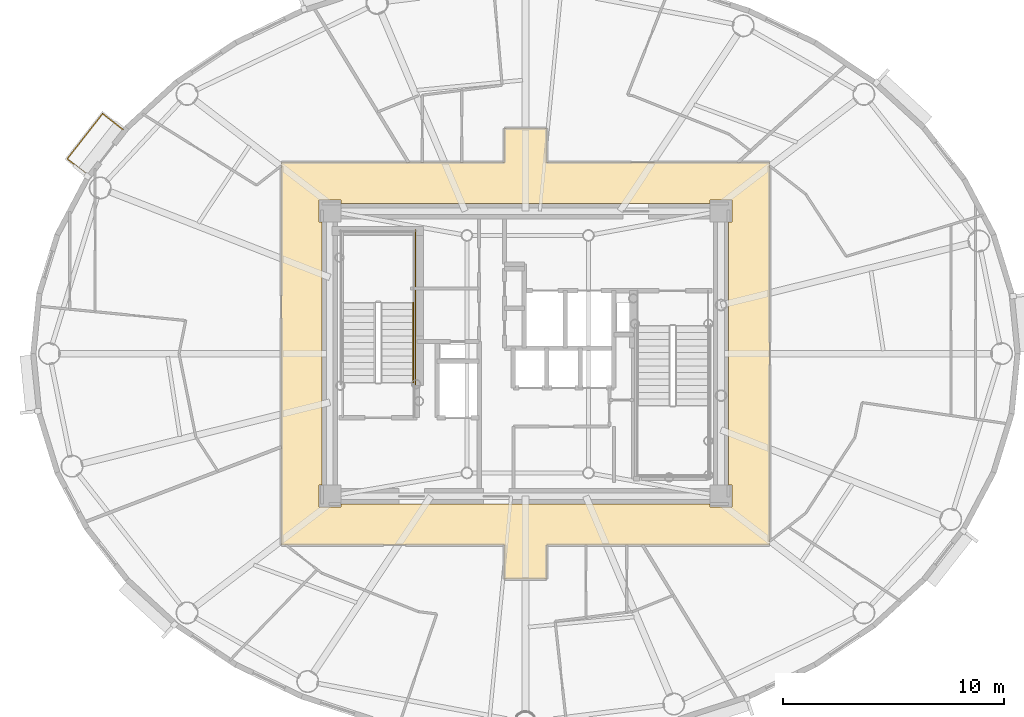
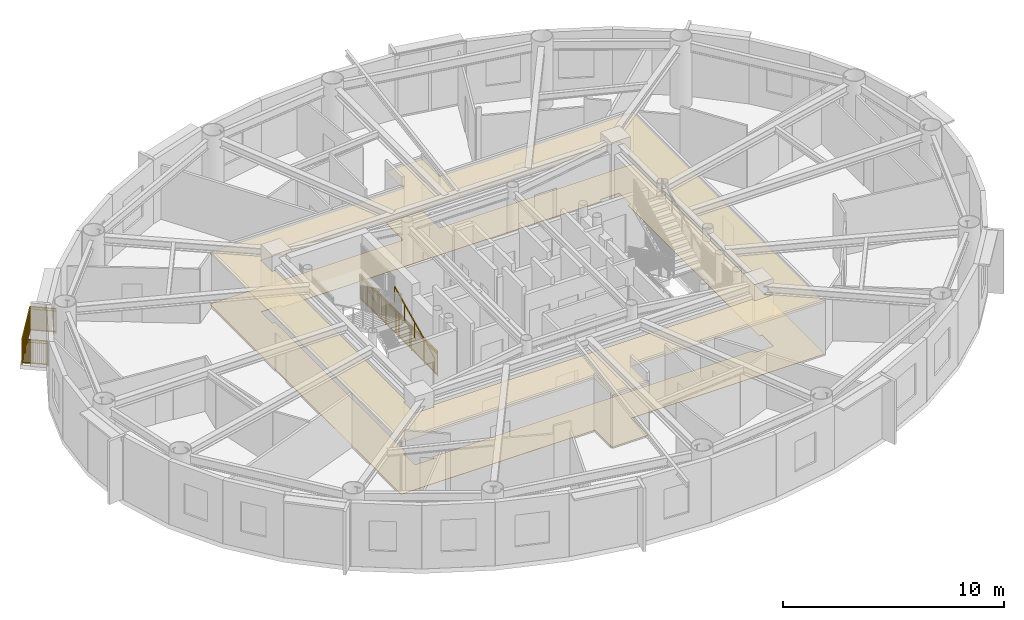
# One storey, part 15 of 17: 3 railings, 2 coverings.
"""IFC4 building model written with IfcOpenShell, lengths in metres."""

from ifc_helpers import new_model, si_unit, direction, frame, origin, origin_2d, place, context, subcontext, project, spatial, polyline, rectangle, outline, extrude, source, transform, mapped, material, layer, layer_set, type_object, element, save


model = new_model("IFC4")

# Units and contexts
model_context = context("Model", 3, precision=1e-05, world=origin(), true_north=direction((0.0, 1.0)))
body_context = subcontext(model_context, "Body", "Model", "MODEL_VIEW")
ifc_project = project(units=[si_unit("LENGTHUNIT", "METRE"), si_unit("AREAUNIT", "SQUARE_METRE"), si_unit("VOLUMEUNIT", "CUBIC_METRE"), si_unit("PLANEANGLEUNIT", "RADIAN"), si_unit("MASSUNIT", "GRAM", prefix="KILO")], contexts=[model_context])

# Site, building, storey
site_placement = place(None, origin())
site = spatial("IfcSite", under=ifc_project, at=site_placement, CompositionType="ELEMENT")
building_placement = place(site_placement, origin())
building = spatial("IfcBuilding", under=site, at=building_placement, Name="Linh Dai School and Residence Tower", CompositionType="ELEMENT")
storey_placement = place(building_placement, frame((0.0, 0.0, 284.25)))
storey = spatial("IfcBuildingStorey", under=building, at=storey_placement, Name="L70", CompositionType="ELEMENT", Elevation=284.25)

# Coverings
ifc_material_1 = material(Name="Mineral Fibre Acoustic Suspended Ceiling", Category="masonry")
ifc_layer_1 = layer(ifc_material_1, 0.02001953125)
ifc_layer_set_1 = layer_set([ifc_layer_1], Name="Mineral Fibre Acoustic Suspended Ceiling")
covering_type_1 = type_object("IfcCoveringType", Name="COV-CEIL-AC-20", PredefinedType="CEILING", material=ifc_layer_set_1)
covering_1_placement = place(storey_placement, frame((0.0, 0.0, 2.85009765625)))
element("IfcCovering", 1, at=covering_1_placement, inside=storey, type_object=covering_type_1, Name="L70 Residential Floor Corridor Suspended Ceiling", PredefinedType="CEILING", context=body_context, shape_type="SweptSolid", body=[
    extrude(outline(polyline([(24.949951171875, 18.35009765625), (24.949951171875, 35.64990234375), (35.050048828125, 35.64990234375), (35.050048828125, 37.199951171875), (36.949951171875, 37.199951171875), (36.949951171875, 35.64990234375), (47.050048828125, 35.64990234375), (47.050048828125, 18.35009765625), (36.949951171875, 18.35009765625), (36.949951171875, 16.800048828125), (35.050048828125, 16.800048828125), (35.050048828125, 18.35009765625), (24.949951171875, 18.35009765625)]), holes=[polyline([(27.64990234375, 33.800048828125), (27.64990234375, 33.949951171875), (26.64990234375, 33.949951171875), (26.64990234375, 32.949951171875), (26.800048828125, 32.949951171875), (26.800048828125, 21.050048828125), (26.64990234375, 21.050048828125), (26.64990234375, 20.050048828125), (27.64990234375, 20.050048828125), (27.64990234375, 20.199951171875), (44.35009765625, 20.199951171875), (44.35009765625, 20.050048828125), (45.35009765625, 20.050048828125), (45.35009765625, 21.050048828125), (45.199951171875, 21.050048828125), (45.199951171875, 32.949951171875), (45.35009765625, 32.949951171875), (45.35009765625, 33.949951171875), (44.35009765625, 33.949951171875), (44.35009765625, 33.800048828125), (27.64990234375, 33.800048828125)])]), origin(), (0.0, 0.0, 1.0), 0.02001953125),
])
ifc_material_2 = material(Name="Polished Terrazzo Floor Finish", Category="masonry")
ifc_layer_2 = layer(ifc_material_2, 0.02490234375)
ifc_layer_set_2 = layer_set([ifc_layer_2], Name="Polished Terrazzo Floor Finish")
covering_type_2 = type_object("IfcCoveringType", Name="COV-FLR-TRZ-25", PredefinedType="FLOORING", material=ifc_layer_set_2)
covering_2_placement = place(storey_placement, origin())
element("IfcCovering", 2, at=covering_2_placement, inside=storey, type_object=covering_type_2, Name="L70 Residential Floor Corridor Floor Finish", PredefinedType="FLOORING", context=body_context, shape_type="SweptSolid", body=[
    extrude(outline(polyline([(24.949951171875, 18.35009765625), (24.949951171875, 35.64990234375), (35.050048828125, 35.64990234375), (35.050048828125, 37.199951171875), (36.949951171875, 37.199951171875), (36.949951171875, 35.64990234375), (47.050048828125, 35.64990234375), (47.050048828125, 18.35009765625), (36.949951171875, 18.35009765625), (36.949951171875, 16.800048828125), (35.050048828125, 16.800048828125), (35.050048828125, 18.35009765625), (24.949951171875, 18.35009765625)]), holes=[polyline([(27.64990234375, 33.800048828125), (27.64990234375, 33.949951171875), (26.64990234375, 33.949951171875), (26.64990234375, 32.949951171875), (26.800048828125, 32.949951171875), (26.800048828125, 21.050048828125), (26.64990234375, 21.050048828125), (26.64990234375, 20.050048828125), (27.64990234375, 20.050048828125), (27.64990234375, 20.199951171875), (44.35009765625, 20.199951171875), (44.35009765625, 20.050048828125), (45.35009765625, 20.050048828125), (45.35009765625, 21.050048828125), (45.199951171875, 21.050048828125), (45.199951171875, 32.949951171875), (45.35009765625, 32.949951171875), (45.35009765625, 33.949951171875), (44.35009765625, 33.949951171875), (44.35009765625, 33.800048828125), (27.64990234375, 33.800048828125)])]), origin(), (0.0, 0.0, 1.0), 0.02001953125),
])

# Railings
ifc_material_3 = material(Name="Structural Steel S355JR", Category="steel")
railing_type_1 = type_object("IfcRailingType", Name="RL-BAL-1400", PredefinedType="BALUSTRADE", material=ifc_material_3)
shared_shape_1 = source(origin(), body_context, "Body", "SweptSolid", [
    extrude(rectangle(XDim=0.048095703125, YDim=0.048095703125, at=origin_2d()), frame((0.0, 0.0, 1.3759765625), z_axis=(-0.787465705171, 0.616358469707, 0.0), x_axis=(-0.616358469707, -0.787465705171, 0.0)), (0.0, 0.0, 1.0), 1.179931640625),
    extrude(rectangle(XDim=0.048095703125, YDim=0.048095703125, at=origin_2d()), frame((0.0, 0.0, 0.10009765625), z_axis=(-0.787465705171, 0.616358469707, 0.0), x_axis=(-0.616358469707, -0.787465705171, 0.0)), (0.0, 0.0, 1.0), 1.179931640625),
    extrude(rectangle(XDim=0.030029296875, YDim=0.030029296875, at=origin_2d()), frame((0.0, 0.0, 1.239990234375), z_axis=(-0.787465705171, 0.616358469707, 0.0), x_axis=(-0.616358469707, -0.787465705171, 0.0)), (0.0, 0.0, 1.0), 1.179931640625),
    extrude(rectangle(XDim=0.02001953125, YDim=0.02001953125, at=origin_2d()), frame((-0.071533203125, 0.055908203125, 0.10009765625)), (0.0, 0.0, 1.0), 1.251708984375),
    extrude(rectangle(XDim=0.02001953125, YDim=0.02001953125, at=origin_2d()), frame((-0.14306640625, 0.11181640625, 0.10009765625)), (0.0, 0.0, 1.0), 1.251708984375),
    extrude(rectangle(XDim=0.02001953125, YDim=0.02001953125, at=origin_2d()), frame((-0.21435546875, 0.167724609375, 0.10009765625)), (0.0, 0.0, 1.0), 1.251708984375),
    extrude(rectangle(XDim=0.02001953125, YDim=0.02001953125, at=origin_2d()), frame((-0.285888671875, 0.223876953125, 0.10009765625)), (0.0, 0.0, 1.0), 1.251708984375),
    extrude(rectangle(XDim=0.02001953125, YDim=0.02001953125, at=origin_2d()), frame((-0.357421875, 0.27978515625, 0.10009765625)), (0.0, 0.0, 1.0), 1.251708984375),
    extrude(rectangle(XDim=0.02001953125, YDim=0.02001953125, at=origin_2d()), frame((-0.428955078125, 0.335693359375, 0.10009765625)), (0.0, 0.0, 1.0), 1.251708984375),
    extrude(rectangle(XDim=0.02001953125, YDim=0.02001953125, at=origin_2d()), frame((-0.500244140625, 0.3916015625, 0.10009765625)), (0.0, 0.0, 1.0), 1.251708984375),
    extrude(rectangle(XDim=0.02001953125, YDim=0.02001953125, at=origin_2d()), frame((-0.57177734375, 0.447509765625, 0.10009765625)), (0.0, 0.0, 1.0), 1.251708984375),
    extrude(rectangle(XDim=0.02001953125, YDim=0.02001953125, at=origin_2d()), frame((-0.643310546875, 0.50341796875, 0.10009765625)), (0.0, 0.0, 1.0), 1.251708984375),
    extrude(rectangle(XDim=0.02001953125, YDim=0.02001953125, at=origin_2d()), frame((-0.71484375, 0.5595703125, 0.10009765625)), (0.0, 0.0, 1.0), 1.251708984375),
    extrude(rectangle(XDim=0.02001953125, YDim=0.02001953125, at=origin_2d()), frame((-0.7861328125, 0.615478515625, 0.10009765625)), (0.0, 0.0, 1.0), 1.251708984375),
    extrude(rectangle(XDim=0.02001953125, YDim=0.02001953125, at=origin_2d()), frame((-0.857666015625, 0.67138671875, 0.10009765625)), (0.0, 0.0, 1.0), 1.251708984375),
    extrude(rectangle(XDim=0.048095703125, YDim=0.048095703125, at=origin_2d()), frame((-0.92919921875, 0.727294921875, 1.3759765625), z_axis=(0.616318394655, 0.787497070731, 0.0), x_axis=(-0.787497070731, 0.616318394655, 0.0)), (0.0, 0.0, 1.0), 2.5986328125),
    extrude(rectangle(XDim=0.048095703125, YDim=0.048095703125, at=origin_2d()), frame((-0.92919921875, 0.727294921875, 0.10009765625), z_axis=(0.616318394655, 0.787497070731, 0.0), x_axis=(-0.787497070731, 0.616318394655, 0.0)), (0.0, 0.0, 1.0), 2.5986328125),
    extrude(rectangle(XDim=0.030029296875, YDim=0.030029296875, at=origin_2d()), frame((-0.92919921875, 0.727294921875, 1.239990234375), z_axis=(0.616318394655, 0.787497070731, 0.0), x_axis=(-0.787497070731, 0.616318394655, 0.0)), (0.0, 0.0, 1.0), 2.5986328125),
    extrude(rectangle(XDim=0.02001953125, YDim=0.02001953125, at=origin_2d()), frame((-0.869873046875, 0.802978515625, 0.10009765625)), (0.0, 0.0, 1.0), 1.251708984375),
    extrude(rectangle(XDim=0.02001953125, YDim=0.02001953125, at=origin_2d()), frame((-0.810546875, 0.87890625, 0.10009765625)), (0.0, 0.0, 1.0), 1.251708984375),
    extrude(rectangle(XDim=0.02001953125, YDim=0.02001953125, at=origin_2d()), frame((-0.751220703125, 0.95458984375, 0.10009765625)), (0.0, 0.0, 1.0), 1.251708984375),
    extrude(rectangle(XDim=0.02001953125, YDim=0.02001953125, at=origin_2d()), frame((-0.69189453125, 1.030517578125, 0.10009765625)), (0.0, 0.0, 1.0), 1.251708984375),
    extrude(rectangle(XDim=0.02001953125, YDim=0.02001953125, at=origin_2d()), frame((-0.632568359375, 1.106201171875, 0.10009765625)), (0.0, 0.0, 1.0), 1.251708984375),
    extrude(rectangle(XDim=0.02001953125, YDim=0.02001953125, at=origin_2d()), frame((-0.5732421875, 1.18212890625, 0.10009765625)), (0.0, 0.0, 1.0), 1.251708984375),
    extrude(rectangle(XDim=0.02001953125, YDim=0.02001953125, at=origin_2d()), frame((-0.513916015625, 1.2578125, 0.10009765625)), (0.0, 0.0, 1.0), 1.251708984375),
    extrude(rectangle(XDim=0.02001953125, YDim=0.02001953125, at=origin_2d()), frame((-0.45458984375, 1.333740234375, 0.10009765625)), (0.0, 0.0, 1.0), 1.251708984375),
    extrude(rectangle(XDim=0.02001953125, YDim=0.02001953125, at=origin_2d()), frame((-0.3359375, 1.485107421875, 0.10009765625)), (0.0, 0.0, 1.0), 1.251708984375),
    extrude(rectangle(XDim=0.02001953125, YDim=0.02001953125, at=origin_2d()), frame((-0.276611328125, 1.56103515625, 0.10009765625)), (0.0, 0.0, 1.0), 1.251708984375),
    extrude(rectangle(XDim=0.02001953125, YDim=0.02001953125, at=origin_2d()), frame((-0.21728515625, 1.63671875, 0.10009765625)), (0.0, 0.0, 1.0), 1.251708984375),
    extrude(rectangle(XDim=0.02001953125, YDim=0.02001953125, at=origin_2d()), frame((-0.157958984375, 1.712646484375, 0.10009765625)), (0.0, 0.0, 1.0), 1.251708984375),
    extrude(rectangle(XDim=0.02001953125, YDim=0.02001953125, at=origin_2d()), frame((-0.098876953125, 1.788330078125, 0.10009765625)), (0.0, 0.0, 1.0), 1.251708984375),
    extrude(rectangle(XDim=0.02001953125, YDim=0.02001953125, at=origin_2d()), frame((-0.03955078125, 1.8642578125, 0.10009765625)), (0.0, 0.0, 1.0), 1.251708984375),
    extrude(rectangle(XDim=0.02001953125, YDim=0.02001953125, at=origin_2d()), frame((0.019775390625, 1.93994140625, 0.10009765625)), (0.0, 0.0, 1.0), 1.251708984375),
    extrude(rectangle(XDim=0.02001953125, YDim=0.02001953125, at=origin_2d()), frame((0.0791015625, 2.015869140625, 0.10009765625)), (0.0, 0.0, 1.0), 1.251708984375),
    extrude(rectangle(XDim=0.02001953125, YDim=0.02001953125, at=origin_2d()), frame((0.19775390625, 2.167236328125, 0.10009765625)), (0.0, 0.0, 1.0), 1.251708984375),
    extrude(rectangle(XDim=0.02001953125, YDim=0.02001953125, at=origin_2d()), frame((0.257080078125, 2.2431640625, 0.10009765625)), (0.0, 0.0, 1.0), 1.251708984375),
    extrude(rectangle(XDim=0.02001953125, YDim=0.02001953125, at=origin_2d()), frame((0.31640625, 2.31884765625, 0.10009765625)), (0.0, 0.0, 1.0), 1.251708984375),
    extrude(rectangle(XDim=0.02001953125, YDim=0.02001953125, at=origin_2d()), frame((0.375732421875, 2.394775390625, 0.10009765625)), (0.0, 0.0, 1.0), 1.251708984375),
    extrude(rectangle(XDim=0.02001953125, YDim=0.02001953125, at=origin_2d()), frame((0.43505859375, 2.470458984375, 0.10009765625)), (0.0, 0.0, 1.0), 1.251708984375),
    extrude(rectangle(XDim=0.02001953125, YDim=0.02001953125, at=origin_2d()), frame((0.494384765625, 2.54638671875, 0.10009765625)), (0.0, 0.0, 1.0), 1.251708984375),
    extrude(rectangle(XDim=0.02001953125, YDim=0.02001953125, at=origin_2d()), frame((0.5537109375, 2.6220703125, 0.10009765625)), (0.0, 0.0, 1.0), 1.251708984375),
    extrude(rectangle(XDim=0.02001953125, YDim=0.02001953125, at=origin_2d()), frame((0.613037109375, 2.697998046875, 0.10009765625)), (0.0, 0.0, 1.0), 1.251708984375),
    extrude(rectangle(XDim=0.048095703125, YDim=0.048095703125, at=origin_2d()), frame((0.67236328125, 2.773681640625, 1.3759765625), z_axis=(0.787465705171, -0.616358469707, 0.0), x_axis=(0.616358469707, 0.787465705171, 0.0)), (0.0, 0.0, 1.0), 1.179931640625),
    extrude(rectangle(XDim=0.048095703125, YDim=0.048095703125, at=origin_2d()), frame((0.67236328125, 2.773681640625, 0.10009765625), z_axis=(0.787465705171, -0.616358469707, 0.0), x_axis=(0.616358469707, 0.787465705171, 0.0)), (0.0, 0.0, 1.0), 1.179931640625),
    extrude(rectangle(XDim=0.030029296875, YDim=0.030029296875, at=origin_2d()), frame((0.67236328125, 2.773681640625, 1.239990234375), z_axis=(0.787465705171, -0.616358469707, 0.0), x_axis=(0.616358469707, 0.787465705171, 0.0)), (0.0, 0.0, 1.0), 1.179931640625),
    extrude(rectangle(XDim=0.02001953125, YDim=0.02001953125, at=origin_2d()), frame((0.743896484375, 2.7177734375, 0.10009765625)), (0.0, 0.0, 1.0), 1.251708984375),
    extrude(rectangle(XDim=0.02001953125, YDim=0.02001953125, at=origin_2d()), frame((0.8154296875, 2.661865234375, 0.10009765625)), (0.0, 0.0, 1.0), 1.251708984375),
    extrude(rectangle(XDim=0.02001953125, YDim=0.02001953125, at=origin_2d()), frame((0.88671875, 2.60595703125, 0.10009765625)), (0.0, 0.0, 1.0), 1.251708984375),
    extrude(rectangle(XDim=0.02001953125, YDim=0.02001953125, at=origin_2d()), frame((0.958251953125, 2.5498046875, 0.10009765625)), (0.0, 0.0, 1.0), 1.251708984375),
    extrude(rectangle(XDim=0.02001953125, YDim=0.02001953125, at=origin_2d()), frame((1.02978515625, 2.493896484375, 0.10009765625)), (0.0, 0.0, 1.0), 1.251708984375),
    extrude(rectangle(XDim=0.02001953125, YDim=0.02001953125, at=origin_2d()), frame((1.101318359375, 2.43798828125, 0.10009765625)), (0.0, 0.0, 1.0), 1.251708984375),
    extrude(rectangle(XDim=0.02001953125, YDim=0.02001953125, at=origin_2d()), frame((1.172607421875, 2.382080078125, 0.10009765625)), (0.0, 0.0, 1.0), 1.251708984375),
    extrude(rectangle(XDim=0.02001953125, YDim=0.02001953125, at=origin_2d()), frame((1.244140625, 2.326171875, 0.10009765625)), (0.0, 0.0, 1.0), 1.251708984375),
    extrude(rectangle(XDim=0.02001953125, YDim=0.02001953125, at=origin_2d()), frame((1.315673828125, 2.270263671875, 0.10009765625)), (0.0, 0.0, 1.0), 1.251708984375),
    extrude(rectangle(XDim=0.02001953125, YDim=0.02001953125, at=origin_2d()), frame((1.38720703125, 2.214111328125, 0.10009765625)), (0.0, 0.0, 1.0), 1.251708984375),
    extrude(rectangle(XDim=0.02001953125, YDim=0.02001953125, at=origin_2d()), frame((1.45849609375, 2.158203125, 0.10009765625)), (0.0, 0.0, 1.0), 1.251708984375),
    extrude(rectangle(XDim=0.02001953125, YDim=0.02001953125, at=origin_2d()), frame((1.530029296875, 2.102294921875, 0.10009765625)), (0.0, 0.0, 1.0), 1.251708984375),
    extrude(rectangle(XDim=0.0419921875, YDim=0.0419921875, at=origin_2d()), origin(), (0.0, 0.0, 1.0), 1.3759765625),
    extrude(rectangle(XDim=0.0419921875, YDim=0.0419921875, at=origin_2d()), frame((-0.92919921875, 0.727294921875, 0.0)), (0.0, 0.0, 1.0), 1.3759765625),
    extrude(rectangle(XDim=0.0419921875, YDim=0.0419921875, at=origin_2d()), frame((-0.395263671875, 1.409423828125, 0.0)), (0.0, 0.0, 1.0), 1.3759765625),
    extrude(rectangle(XDim=0.0419921875, YDim=0.0419921875, at=origin_2d()), frame((0.138427734375, 2.091552734375, 0.0)), (0.0, 0.0, 1.0), 1.3759765625),
    extrude(rectangle(XDim=0.0419921875, YDim=0.0419921875, at=origin_2d()), frame((0.67236328125, 2.773681640625, 0.0)), (0.0, 0.0, 1.0), 1.3759765625),
    extrude(rectangle(XDim=0.0419921875, YDim=0.0419921875, at=origin_2d()), frame((1.6015625, 2.04638671875, 0.0)), (0.0, 0.0, 1.0), 1.3759765625),
])
railing_1_placement = place(storey_placement, frame((16.190185546875, 35.0888671875, 0.0)))
element("IfcRailing", 3, at=railing_1_placement, inside=storey, type_object=railing_type_1, Name="L70 Balcony Safety Balustrade 17", PredefinedType="BALUSTRADE", context=body_context, shape_type="MappedRepresentation", body=[
    mapped(shared_shape_1, transform((0.0, 0.0, 0.0), x_axis=(1.0, 0.0, 0.0), y_axis=(0.0, 1.0, 0.0), z_axis=(0.0, 0.0, 1.0), scale=1.0)),
])
railing_type_2 = type_object("IfcRailingType", Name="RL-ST-GUARD-1400", PredefinedType="GUARDRAIL", material=ifc_material_3)
shared_shape_2 = source(origin(), body_context, "Body", "SweptSolid", [
    extrude(rectangle(XDim=0.048095703125, YDim=0.048095703125, at=origin_2d()), frame((0.0, 0.0, 1.3759765625), z_axis=(0.0, 1.0, 0.0), x_axis=(-1.0, 0.0, 0.0)), (0.0, 0.0, 1.0), 7.0),
    extrude(rectangle(XDim=0.048095703125, YDim=0.048095703125, at=origin_2d()), frame((0.0, 0.0, 0.10009765625), z_axis=(0.0, 1.0, 0.0), x_axis=(-1.0, 0.0, 0.0)), (0.0, 0.0, 1.0), 7.0),
    extrude(rectangle(XDim=0.030029296875, YDim=0.030029296875, at=origin_2d()), frame((0.0, 0.0, 1.239990234375), z_axis=(0.0, 1.0, 0.0), x_axis=(-1.0, 0.0, 0.0)), (0.0, 0.0, 1.0), 7.0),
    extrude(rectangle(XDim=0.02001953125, YDim=0.02001953125, at=origin_2d()), frame((0.0, 0.09716796875, 0.10009765625)), (0.0, 0.0, 1.0), 1.251708984375),
    extrude(rectangle(XDim=0.02001953125, YDim=0.02001953125, at=origin_2d()), frame((0.0, 0.1943359375, 0.10009765625)), (0.0, 0.0, 1.0), 1.251708984375),
    extrude(rectangle(XDim=0.02001953125, YDim=0.02001953125, at=origin_2d()), frame((0.0, 0.291748046875, 0.10009765625)), (0.0, 0.0, 1.0), 1.251708984375),
    extrude(rectangle(XDim=0.02001953125, YDim=0.02001953125, at=origin_2d()), frame((0.0, 0.388916015625, 0.10009765625)), (0.0, 0.0, 1.0), 1.251708984375),
    extrude(rectangle(XDim=0.02001953125, YDim=0.02001953125, at=origin_2d()), frame((0.0, 0.486083984375, 0.10009765625)), (0.0, 0.0, 1.0), 1.251708984375),
    extrude(rectangle(XDim=0.02001953125, YDim=0.02001953125, at=origin_2d()), frame((0.0, 0.583251953125, 0.10009765625)), (0.0, 0.0, 1.0), 1.251708984375),
    extrude(rectangle(XDim=0.02001953125, YDim=0.02001953125, at=origin_2d()), frame((0.0, 0.6806640625, 0.10009765625)), (0.0, 0.0, 1.0), 1.251708984375),
    extrude(rectangle(XDim=0.02001953125, YDim=0.02001953125, at=origin_2d()), frame((0.0, 0.77783203125, 0.10009765625)), (0.0, 0.0, 1.0), 1.251708984375),
    extrude(rectangle(XDim=0.02001953125, YDim=0.02001953125, at=origin_2d()), frame((0.0, 0.875, 0.10009765625)), (0.0, 0.0, 1.0), 1.251708984375),
    extrude(rectangle(XDim=0.02001953125, YDim=0.02001953125, at=origin_2d()), frame((0.0, 0.97216796875, 0.10009765625)), (0.0, 0.0, 1.0), 1.251708984375),
    extrude(rectangle(XDim=0.02001953125, YDim=0.02001953125, at=origin_2d()), frame((0.0, 1.0693359375, 0.10009765625)), (0.0, 0.0, 1.0), 1.251708984375),
    extrude(rectangle(XDim=0.02001953125, YDim=0.02001953125, at=origin_2d()), frame((0.0, 1.263916015625, 0.10009765625)), (0.0, 0.0, 1.0), 1.251708984375),
    extrude(rectangle(XDim=0.02001953125, YDim=0.02001953125, at=origin_2d()), frame((0.0, 1.361083984375, 0.10009765625)), (0.0, 0.0, 1.0), 1.251708984375),
    extrude(rectangle(XDim=0.02001953125, YDim=0.02001953125, at=origin_2d()), frame((0.0, 1.458251953125, 0.10009765625)), (0.0, 0.0, 1.0), 1.251708984375),
    extrude(rectangle(XDim=0.02001953125, YDim=0.02001953125, at=origin_2d()), frame((0.0, 1.5556640625, 0.10009765625)), (0.0, 0.0, 1.0), 1.251708984375),
    extrude(rectangle(XDim=0.02001953125, YDim=0.02001953125, at=origin_2d()), frame((0.0, 1.65283203125, 0.10009765625)), (0.0, 0.0, 1.0), 1.251708984375),
    extrude(rectangle(XDim=0.02001953125, YDim=0.02001953125, at=origin_2d()), frame((0.0, 1.75, 0.10009765625)), (0.0, 0.0, 1.0), 1.251708984375),
    extrude(rectangle(XDim=0.02001953125, YDim=0.02001953125, at=origin_2d()), frame((0.0, 1.84716796875, 0.10009765625)), (0.0, 0.0, 1.0), 1.251708984375),
    extrude(rectangle(XDim=0.02001953125, YDim=0.02001953125, at=origin_2d()), frame((0.0, 1.9443359375, 0.10009765625)), (0.0, 0.0, 1.0), 1.251708984375),
    extrude(rectangle(XDim=0.02001953125, YDim=0.02001953125, at=origin_2d()), frame((0.0, 2.041748046875, 0.10009765625)), (0.0, 0.0, 1.0), 1.251708984375),
    extrude(rectangle(XDim=0.02001953125, YDim=0.02001953125, at=origin_2d()), frame((0.0, 2.138916015625, 0.10009765625)), (0.0, 0.0, 1.0), 1.251708984375),
    extrude(rectangle(XDim=0.02001953125, YDim=0.02001953125, at=origin_2d()), frame((0.0, 2.236083984375, 0.10009765625)), (0.0, 0.0, 1.0), 1.251708984375),
    extrude(rectangle(XDim=0.02001953125, YDim=0.02001953125, at=origin_2d()), frame((0.0, 2.4306640625, 0.10009765625)), (0.0, 0.0, 1.0), 1.251708984375),
    extrude(rectangle(XDim=0.02001953125, YDim=0.02001953125, at=origin_2d()), frame((0.0, 2.52783203125, 0.10009765625)), (0.0, 0.0, 1.0), 1.251708984375),
    extrude(rectangle(XDim=0.02001953125, YDim=0.02001953125, at=origin_2d()), frame((0.0, 2.625, 0.10009765625)), (0.0, 0.0, 1.0), 1.251708984375),
    extrude(rectangle(XDim=0.02001953125, YDim=0.02001953125, at=origin_2d()), frame((0.0, 2.72216796875, 0.10009765625)), (0.0, 0.0, 1.0), 1.251708984375),
    extrude(rectangle(XDim=0.02001953125, YDim=0.02001953125, at=origin_2d()), frame((0.0, 2.8193359375, 0.10009765625)), (0.0, 0.0, 1.0), 1.251708984375),
    extrude(rectangle(XDim=0.02001953125, YDim=0.02001953125, at=origin_2d()), frame((0.0, 2.916748046875, 0.10009765625)), (0.0, 0.0, 1.0), 1.251708984375),
    extrude(rectangle(XDim=0.02001953125, YDim=0.02001953125, at=origin_2d()), frame((0.0, 3.013916015625, 0.10009765625)), (0.0, 0.0, 1.0), 1.251708984375),
    extrude(rectangle(XDim=0.02001953125, YDim=0.02001953125, at=origin_2d()), frame((0.0, 3.111083984375, 0.10009765625)), (0.0, 0.0, 1.0), 1.251708984375),
    extrude(rectangle(XDim=0.02001953125, YDim=0.02001953125, at=origin_2d()), frame((0.0, 3.208251953125, 0.10009765625)), (0.0, 0.0, 1.0), 1.251708984375),
    extrude(rectangle(XDim=0.02001953125, YDim=0.02001953125, at=origin_2d()), frame((0.0, 3.3056640625, 0.10009765625)), (0.0, 0.0, 1.0), 1.251708984375),
    extrude(rectangle(XDim=0.02001953125, YDim=0.02001953125, at=origin_2d()), frame((0.0, 3.40283203125, 0.10009765625)), (0.0, 0.0, 1.0), 1.251708984375),
    extrude(rectangle(XDim=0.02001953125, YDim=0.02001953125, at=origin_2d()), frame((0.0, 3.59716796875, 0.10009765625)), (0.0, 0.0, 1.0), 1.251708984375),
    extrude(rectangle(XDim=0.02001953125, YDim=0.02001953125, at=origin_2d()), frame((0.0, 3.6943359375, 0.10009765625)), (0.0, 0.0, 1.0), 1.251708984375),
    extrude(rectangle(XDim=0.02001953125, YDim=0.02001953125, at=origin_2d()), frame((0.0, 3.791748046875, 0.10009765625)), (0.0, 0.0, 1.0), 1.251708984375),
    extrude(rectangle(XDim=0.02001953125, YDim=0.02001953125, at=origin_2d()), frame((0.0, 3.888916015625, 0.10009765625)), (0.0, 0.0, 1.0), 1.251708984375),
    extrude(rectangle(XDim=0.02001953125, YDim=0.02001953125, at=origin_2d()), frame((0.0, 3.986083984375, 0.10009765625)), (0.0, 0.0, 1.0), 1.251708984375),
    extrude(rectangle(XDim=0.02001953125, YDim=0.02001953125, at=origin_2d()), frame((0.0, 4.083251953125, 0.10009765625)), (0.0, 0.0, 1.0), 1.251708984375),
    extrude(rectangle(XDim=0.02001953125, YDim=0.02001953125, at=origin_2d()), frame((0.0, 4.1806640625, 0.10009765625)), (0.0, 0.0, 1.0), 1.251708984375),
    extrude(rectangle(XDim=0.02001953125, YDim=0.02001953125, at=origin_2d()), frame((0.0, 4.27783203125, 0.10009765625)), (0.0, 0.0, 1.0), 1.251708984375),
    extrude(rectangle(XDim=0.02001953125, YDim=0.02001953125, at=origin_2d()), frame((0.0, 4.375, 0.10009765625)), (0.0, 0.0, 1.0), 1.251708984375),
    extrude(rectangle(XDim=0.02001953125, YDim=0.02001953125, at=origin_2d()), frame((0.0, 4.47216796875, 0.10009765625)), (0.0, 0.0, 1.0), 1.251708984375),
    extrude(rectangle(XDim=0.02001953125, YDim=0.02001953125, at=origin_2d()), frame((0.0, 4.5693359375, 0.10009765625)), (0.0, 0.0, 1.0), 1.251708984375),
    extrude(rectangle(XDim=0.02001953125, YDim=0.02001953125, at=origin_2d()), frame((0.0, 4.763916015625, 0.10009765625)), (0.0, 0.0, 1.0), 1.251708984375),
    extrude(rectangle(XDim=0.02001953125, YDim=0.02001953125, at=origin_2d()), frame((0.0, 4.861083984375, 0.10009765625)), (0.0, 0.0, 1.0), 1.251708984375),
    extrude(rectangle(XDim=0.02001953125, YDim=0.02001953125, at=origin_2d()), frame((0.0, 4.958251953125, 0.10009765625)), (0.0, 0.0, 1.0), 1.251708984375),
    extrude(rectangle(XDim=0.02001953125, YDim=0.02001953125, at=origin_2d()), frame((0.0, 5.0556640625, 0.10009765625)), (0.0, 0.0, 1.0), 1.251708984375),
    extrude(rectangle(XDim=0.02001953125, YDim=0.02001953125, at=origin_2d()), frame((0.0, 5.15283203125, 0.10009765625)), (0.0, 0.0, 1.0), 1.251708984375),
    extrude(rectangle(XDim=0.02001953125, YDim=0.02001953125, at=origin_2d()), frame((0.0, 5.25, 0.10009765625)), (0.0, 0.0, 1.0), 1.251708984375),
    extrude(rectangle(XDim=0.02001953125, YDim=0.02001953125, at=origin_2d()), frame((0.0, 5.34716796875, 0.10009765625)), (0.0, 0.0, 1.0), 1.251708984375),
    extrude(rectangle(XDim=0.02001953125, YDim=0.02001953125, at=origin_2d()), frame((0.0, 5.4443359375, 0.10009765625)), (0.0, 0.0, 1.0), 1.251708984375),
    extrude(rectangle(XDim=0.02001953125, YDim=0.02001953125, at=origin_2d()), frame((0.0, 5.541748046875, 0.10009765625)), (0.0, 0.0, 1.0), 1.251708984375),
    extrude(rectangle(XDim=0.02001953125, YDim=0.02001953125, at=origin_2d()), frame((0.0, 5.638916015625, 0.10009765625)), (0.0, 0.0, 1.0), 1.251708984375),
    extrude(rectangle(XDim=0.02001953125, YDim=0.02001953125, at=origin_2d()), frame((0.0, 5.736083984375, 0.10009765625)), (0.0, 0.0, 1.0), 1.251708984375),
    extrude(rectangle(XDim=0.02001953125, YDim=0.02001953125, at=origin_2d()), frame((0.0, 5.9306640625, 0.10009765625)), (0.0, 0.0, 1.0), 1.251708984375),
    extrude(rectangle(XDim=0.02001953125, YDim=0.02001953125, at=origin_2d()), frame((0.0, 6.02783203125, 0.10009765625)), (0.0, 0.0, 1.0), 1.251708984375),
    extrude(rectangle(XDim=0.02001953125, YDim=0.02001953125, at=origin_2d()), frame((0.0, 6.125, 0.10009765625)), (0.0, 0.0, 1.0), 1.251708984375),
    extrude(rectangle(XDim=0.02001953125, YDim=0.02001953125, at=origin_2d()), frame((0.0, 6.22216796875, 0.10009765625)), (0.0, 0.0, 1.0), 1.251708984375),
    extrude(rectangle(XDim=0.02001953125, YDim=0.02001953125, at=origin_2d()), frame((0.0, 6.3193359375, 0.10009765625)), (0.0, 0.0, 1.0), 1.251708984375),
    extrude(rectangle(XDim=0.02001953125, YDim=0.02001953125, at=origin_2d()), frame((0.0, 6.416748046875, 0.10009765625)), (0.0, 0.0, 1.0), 1.251708984375),
    extrude(rectangle(XDim=0.02001953125, YDim=0.02001953125, at=origin_2d()), frame((0.0, 6.513916015625, 0.10009765625)), (0.0, 0.0, 1.0), 1.251708984375),
    extrude(rectangle(XDim=0.02001953125, YDim=0.02001953125, at=origin_2d()), frame((0.0, 6.611083984375, 0.10009765625)), (0.0, 0.0, 1.0), 1.251708984375),
    extrude(rectangle(XDim=0.02001953125, YDim=0.02001953125, at=origin_2d()), frame((0.0, 6.708251953125, 0.10009765625)), (0.0, 0.0, 1.0), 1.251708984375),
    extrude(rectangle(XDim=0.02001953125, YDim=0.02001953125, at=origin_2d()), frame((0.0, 6.8056640625, 0.10009765625)), (0.0, 0.0, 1.0), 1.251708984375),
    extrude(rectangle(XDim=0.02001953125, YDim=0.02001953125, at=origin_2d()), frame((0.0, 6.90283203125, 0.10009765625)), (0.0, 0.0, 1.0), 1.251708984375),
    extrude(rectangle(XDim=0.0419921875, YDim=0.0419921875, at=origin_2d()), origin(), (0.0, 0.0, 1.0), 1.3759765625),
    extrude(rectangle(XDim=0.0419921875, YDim=0.0419921875, at=origin_2d()), frame((0.0, 1.166748046875, 0.0)), (0.0, 0.0, 1.0), 1.3759765625),
    extrude(rectangle(XDim=0.0419921875, YDim=0.0419921875, at=origin_2d()), frame((0.0, 2.333251953125, 0.0)), (0.0, 0.0, 1.0), 1.3759765625),
    extrude(rectangle(XDim=0.0419921875, YDim=0.0419921875, at=origin_2d()), frame((0.0, 3.5, 0.0)), (0.0, 0.0, 1.0), 1.3759765625),
    extrude(rectangle(XDim=0.0419921875, YDim=0.0419921875, at=origin_2d()), frame((0.0, 4.666748046875, 0.0)), (0.0, 0.0, 1.0), 1.3759765625),
    extrude(rectangle(XDim=0.0419921875, YDim=0.0419921875, at=origin_2d()), frame((0.0, 5.833251953125, 0.0)), (0.0, 0.0, 1.0), 1.3759765625),
    extrude(rectangle(XDim=0.0419921875, YDim=0.0419921875, at=origin_2d()), frame((0.0, 7.0, 0.0)), (0.0, 0.0, 1.0), 1.3759765625),
])
railing_2_placement = place(storey_placement, frame((31.030029296875, 25.60009765625, 0.0)))
element("IfcRailing", 4, at=railing_2_placement, inside=storey, type_object=railing_type_2, Name="L70 ST1 stair guard 10", PredefinedType="GUARDRAIL", context=body_context, shape_type="MappedRepresentation", body=[
    mapped(shared_shape_2, transform((0.0, 0.0, 0.0), x_axis=(1.0, 0.0, 0.0), y_axis=(0.0, 1.0, 0.0), z_axis=(0.0, 0.0, 1.0), scale=1.0)),
])
ifc_material_4 = material(Name="Brushed Stainless Steel Handrail", Category="steel")
railing_type_3 = type_object("IfcRailingType", Name="RL-ST-HANDRAIL-900", PredefinedType="HANDRAIL", material=ifc_material_4)
shared_shape_3 = source(origin(), body_context, "Body", "SweptSolid", [
    extrude(rectangle(XDim=0.048095703125, YDim=0.048095703125, at=origin_2d()), frame((0.0, 0.0, 0.8759765625), z_axis=(0.0, 0.901262522062, 0.433273431364), x_axis=(-1.0, 0.0, 0.0)), (0.0, 0.0, 1.0), 3.994384765625),
    extrude(rectangle(XDim=0.0419921875, YDim=0.0419921875, at=origin_2d()), origin(), (0.0, 0.0, 1.0), 0.8759765625),
    extrude(rectangle(XDim=0.0419921875, YDim=0.0419921875, at=origin_2d()), frame((0.0, 0.89990234375, 0.4326171875)), (0.0, 0.0, 1.0), 0.8759765625),
    extrude(rectangle(XDim=0.0419921875, YDim=0.0419921875, at=origin_2d()), frame((0.0, 1.800048828125, 0.865234375)), (0.0, 0.0, 1.0), 0.8759765625),
    extrude(rectangle(XDim=0.0419921875, YDim=0.0419921875, at=origin_2d()), frame((0.0, 2.7001953125, 1.298095703125)), (0.0, 0.0, 1.0), 0.8759765625),
    extrude(rectangle(XDim=0.0419921875, YDim=0.0419921875, at=origin_2d()), frame((0.0, 3.60009765625, 1.730712890625)), (0.0, 0.0, 1.0), 0.8759765625),
])
railing_3_placement = place(storey_placement, frame((30.929931640625, 25.699951171875, 0.144287109375)))
element("IfcRailing", 5, at=railing_3_placement, inside=storey, type_object=railing_type_3, Name="L70 ST1 stair handrail 1", PredefinedType="HANDRAIL", context=body_context, shape_type="MappedRepresentation", body=[
    mapped(shared_shape_3, transform((0.0, 0.0, 0.0), x_axis=(1.0, 0.0, 0.0), y_axis=(0.0, 1.0, 0.0), z_axis=(0.0, 0.0, 1.0), scale=1.0)),
])

save(model, "model.ifc")
